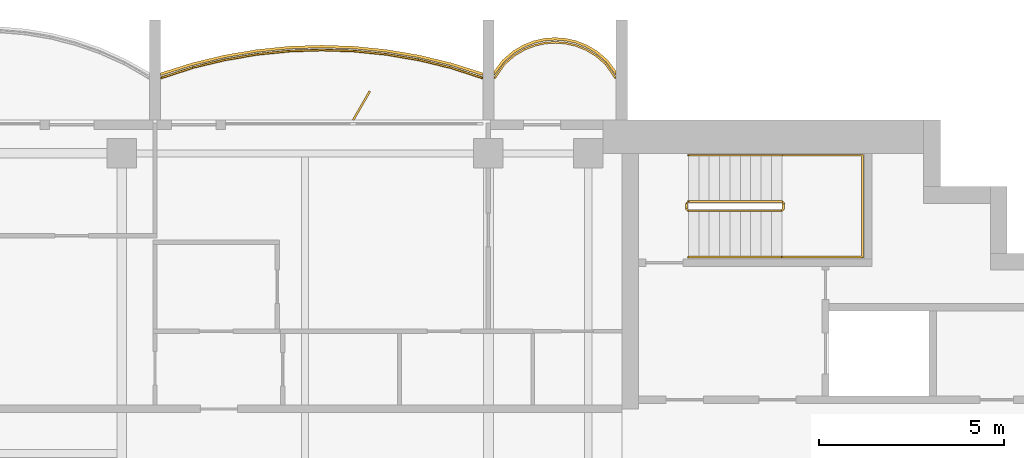
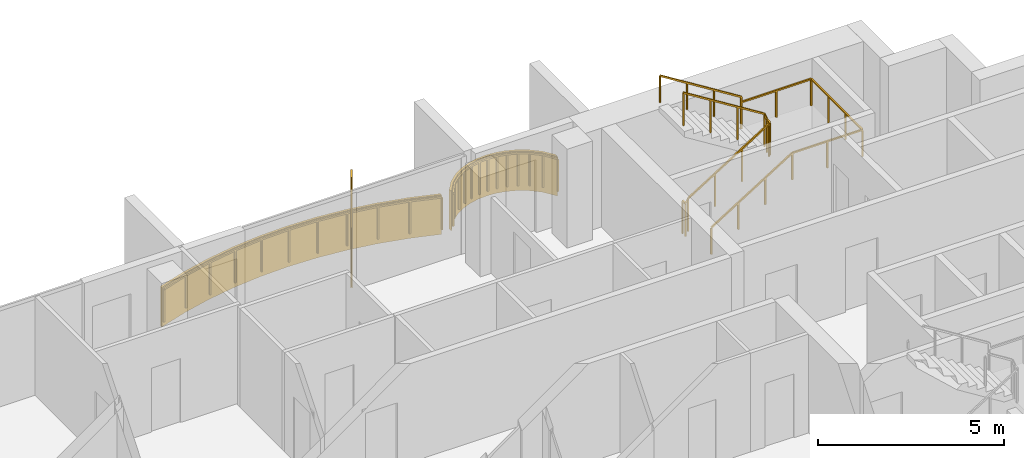
# One storey, part 16 of 16: 4 railings, 2 coverings, 1 shading device.
"""IFC4 building model written with IfcOpenShell, lengths in metres."""

from ifc_helpers import new_model, si_unit, direction, frame, origin, origin_2d, place, context, subcontext, project, spatial, polyline, rectangle, outline, extrude, material, layer, layer_set, type_object, element, save


model = new_model("IFC4")

# Units and contexts
model_context = context("Model", 3, precision=1e-05, world=origin(), true_north=direction((0.0, 1.0)))
body_context = subcontext(model_context, "Body", "Model", "MODEL_VIEW")
ifc_project = project(units=[si_unit("LENGTHUNIT", "METRE"), si_unit("AREAUNIT", "SQUARE_METRE"), si_unit("VOLUMEUNIT", "CUBIC_METRE"), si_unit("PLANEANGLEUNIT", "RADIAN"), si_unit("MASSUNIT", "GRAM", prefix="KILO")], contexts=[model_context])

# Site, building, storey
site_placement = place(None, origin())
site = spatial("IfcSite", under=ifc_project, at=site_placement, CompositionType="ELEMENT")
building_placement = place(site_placement, origin())
building = spatial("IfcBuilding", under=site, at=building_placement, Name="Perihelion Cross Residences", CompositionType="ELEMENT")
storey_placement = place(building_placement, frame((0.0, 0.0, 274.5)))
storey = spatial("IfcBuildingStorey", under=building, at=storey_placement, Name="L70", CompositionType="ELEMENT", Elevation=274.5)

# Coverings
ifc_material_1 = material(Name="Bronze anodised aluminium", Category="aluminium")
ifc_layer_1 = layer(ifc_material_1, 0.070068359375)
ifc_layer_set_1 = layer_set([ifc_layer_1], Name="Balcony fascia 1300")
covering_type = type_object("IfcCoveringType", Name="Balcony fascia 1300", PredefinedType="CLADDING", material=ifc_layer_set_1)
covering_1_placement = place(storey_placement, frame((0.0, 0.0, -0.199951171875)))
element("IfcCovering", 1, at=covering_1_placement, inside=storey, type_object=covering_type, Name="Fascia BF1 L70 east side north bay 1", PredefinedType="CLADDING", context=body_context, shape_type="SweptSolid", body=[
    extrude(outline(polyline([(21.226318359375, 10.616455078125), (20.94091796875, 10.86328125), (20.655517578125, 11.031494140625), (20.370361328125, 11.142578125), (20.085205078125, 11.206298828125), (19.800048828125, 11.22705078125), (19.514892578125, 11.206298828125), (19.229736328125, 11.142578125), (18.9443359375, 11.031494140625), (18.6591796875, 10.86328125), (18.373779296875, 10.616455078125), (18.14990234375, 10.31689453125), (18.14990234375, 10.199951171875), (18.425048828125, 10.568603515625), (18.699951171875, 10.806396484375), (18.97509765625, 10.96875), (19.25, 11.07568359375), (19.52490234375, 11.136962890625), (19.800048828125, 11.156982421875), (20.074951171875, 11.136962890625), (20.35009765625, 11.07568359375), (20.625, 10.96875), (20.89990234375, 10.806396484375), (21.175048828125, 10.568603515625), (21.449951171875, 10.199951171875), (21.449951171875, 10.31689453125), (21.226318359375, 10.616455078125)])), origin(), (0.0, 0.0, 1.0), 1.300048828125),
])
covering_2_placement = place(storey_placement, frame((0.0, 0.0, -0.199951171875)))
element("IfcCovering", 2, at=covering_2_placement, inside=storey, type_object=covering_type, Name="Fascia BF1 L70 east side north bay 2", PredefinedType="CLADDING", context=body_context, shape_type="SweptSolid", body=[
    extrude(outline(polyline([(16.998779296875, 10.542724609375), (16.1240234375, 10.753662109375), (15.249267578125, 10.90234375), (14.374755859375, 10.99072265625), (13.5, 11.02001953125), (12.625244140625, 10.99072265625), (11.750732421875, 10.90234375), (10.8759765625, 10.753662109375), (10.001220703125, 10.542724609375), (9.14990234375, 10.2734375), (9.14990234375, 10.199951171875), (10.02001953125, 10.47509765625), (10.889892578125, 10.68505859375), (11.760009765625, 10.8330078125), (12.6298828125, 10.9208984375), (13.5, 10.949951171875), (14.3701171875, 10.9208984375), (15.239990234375, 10.8330078125), (16.110107421875, 10.68505859375), (16.97998046875, 10.47509765625), (17.85009765625, 10.199951171875), (17.85009765625, 10.2734375), (16.998779296875, 10.542724609375)])), origin(), (0.0, 0.0, 1.0), 1.300048828125),
])

# Railings
ifc_material_2 = material(Name="Bronze anodised aluminium", Category="aluminium")
railing_type_1 = type_object("IfcRailingType", Name="Balcony guard 1100", PredefinedType="GUARDRAIL", material=ifc_material_2)
railing_1_placement = place(storey_placement, frame((21.425048828125, 10.139892578125, 0.0)))
element("IfcRailing", 3, at=railing_1_placement, inside=storey, type_object=railing_type_1, Name="Guard GU1 L70 east side north bay 1 balcony", PredefinedType="GUARDRAIL", context=body_context, shape_type="SweptSolid", body=[
    extrude(rectangle(XDim=0.048095703125, YDim=0.048095703125, at=origin_2d()), frame((0.0, 0.0, 1.076171875), z_axis=(-0.561260132269, 0.827639452857, 0.0), x_axis=(-0.827639452857, -0.561260132269, 0.0)), (0.0, 0.0, 1.0), 0.4453125),
    extrude(rectangle(XDim=0.048095703125, YDim=0.048095703125, at=origin_2d()), frame((-0.25, 0.36865234375, 1.076171875), z_axis=(-0.756596535164, 0.653882009982, 0.0), x_axis=(-0.653882009982, -0.756596535164, 0.0)), (0.0, 0.0, 1.0), 0.36376953125),
    extrude(rectangle(XDim=0.048095703125, YDim=0.048095703125, at=origin_2d()), frame((-0.525146484375, 0.6064453125, 1.076171875), z_axis=(-0.861048292884, 0.508523192511, 0.0), x_axis=(-0.508523192511, -0.861048292884, 0.0)), (0.0, 0.0, 1.0), 0.3193359375),
    extrude(rectangle(XDim=0.048095703125, YDim=0.048095703125, at=origin_2d()), frame((-0.800048828125, 0.768798828125, 1.076171875), z_axis=(-0.931973602183, 0.362526143656, 0.0), x_axis=(-0.362526143656, -0.931973602183, 0.0)), (0.0, 0.0, 1.0), 0.294921875),
    extrude(rectangle(XDim=0.048095703125, YDim=0.048095703125, at=origin_2d()), frame((-1.074951171875, 0.875732421875, 1.076171875), z_axis=(-0.976085059389, 0.21738895289, 0.0), x_axis=(-0.21738895289, -0.976085059389, 0.0)), (0.0, 0.0, 1.0), 0.281982421875),
    extrude(rectangle(XDim=0.048095703125, YDim=0.048095703125, at=origin_2d()), frame((-1.35009765625, 0.93701171875, 1.076171875), z_axis=(-0.997358821833, 0.072631814734, 0.0), x_axis=(-0.072631814734, -0.997358821833, 0.0)), (0.0, 0.0, 1.0), 0.275634765625),
    extrude(rectangle(XDim=0.048095703125, YDim=0.048095703125, at=origin_2d()), frame((-1.625, 0.95703125, 1.076171875), z_axis=(-0.997363488337, -0.072567707226, 0.0), x_axis=(0.072567707226, -0.997363488337, 0.0)), (0.0, 0.0, 1.0), 0.27587890625),
    extrude(rectangle(XDim=0.048095703125, YDim=0.048095703125, at=origin_2d()), frame((-1.900146484375, 0.93701171875, 1.076171875), z_axis=(-0.976044077717, -0.217572880557, 0.0), x_axis=(0.217572880557, -0.976044077717, 0.0)), (0.0, 0.0, 1.0), 0.28173828125),
    extrude(rectangle(XDim=0.048095703125, YDim=0.048095703125, at=origin_2d()), frame((-2.175048828125, 0.875732421875, 1.076171875), z_axis=(-0.931973602183, -0.362526143656, 0.0), x_axis=(0.362526143656, -0.931973602183, 0.0)), (0.0, 0.0, 1.0), 0.294921875),
    extrude(rectangle(XDim=0.048095703125, YDim=0.048095703125, at=origin_2d()), frame((-2.449951171875, 0.768798828125, 1.076171875), z_axis=(-0.861245845072, -0.508188542123, 0.0), x_axis=(0.508188542123, -0.861245845072, 0.0)), (0.0, 0.0, 1.0), 0.319580078125),
    extrude(rectangle(XDim=0.048095703125, YDim=0.048095703125, at=origin_2d()), frame((-2.72509765625, 0.6064453125, 1.076171875), z_axis=(-0.756309278473, -0.654214242658, 0.0), x_axis=(0.654214242658, -0.756309278473, 0.0)), (0.0, 0.0, 1.0), 0.363525390625),
    extrude(rectangle(XDim=0.048095703125, YDim=0.048095703125, at=origin_2d()), frame((-3.0, 0.36865234375, 1.076171875), z_axis=(-0.561260132269, -0.827639452857, 0.0), x_axis=(0.827639452857, -0.561260132269, 0.0)), (0.0, 0.0, 1.0), 0.4453125),
    extrude(rectangle(XDim=0.0419921875, YDim=0.0419921875, at=origin_2d()), origin(), (0.0, 0.0, 1.0), 1.052001953125),
    extrude(rectangle(XDim=0.0419921875, YDim=0.0419921875, at=origin_2d()), frame((-0.25, 0.36865234375, 0.0)), (0.0, 0.0, 1.0), 1.052001953125),
    extrude(rectangle(XDim=0.0419921875, YDim=0.0419921875, at=origin_2d()), frame((-0.525146484375, 0.6064453125, 0.0)), (0.0, 0.0, 1.0), 1.052001953125),
    extrude(rectangle(XDim=0.0419921875, YDim=0.0419921875, at=origin_2d()), frame((-0.800048828125, 0.768798828125, 0.0)), (0.0, 0.0, 1.0), 1.052001953125),
    extrude(rectangle(XDim=0.0419921875, YDim=0.0419921875, at=origin_2d()), frame((-1.074951171875, 0.875732421875, 0.0)), (0.0, 0.0, 1.0), 1.052001953125),
    extrude(rectangle(XDim=0.0419921875, YDim=0.0419921875, at=origin_2d()), frame((-1.35009765625, 0.93701171875, 0.0)), (0.0, 0.0, 1.0), 1.052001953125),
    extrude(rectangle(XDim=0.0419921875, YDim=0.0419921875, at=origin_2d()), frame((-1.625, 0.95703125, 0.0)), (0.0, 0.0, 1.0), 1.052001953125),
    extrude(rectangle(XDim=0.0419921875, YDim=0.0419921875, at=origin_2d()), frame((-1.900146484375, 0.93701171875, 0.0)), (0.0, 0.0, 1.0), 1.052001953125),
    extrude(rectangle(XDim=0.0419921875, YDim=0.0419921875, at=origin_2d()), frame((-2.175048828125, 0.875732421875, 0.0)), (0.0, 0.0, 1.0), 1.052001953125),
    extrude(rectangle(XDim=0.0419921875, YDim=0.0419921875, at=origin_2d()), frame((-2.449951171875, 0.768798828125, 0.0)), (0.0, 0.0, 1.0), 1.052001953125),
    extrude(rectangle(XDim=0.0419921875, YDim=0.0419921875, at=origin_2d()), frame((-2.72509765625, 0.6064453125, 0.0)), (0.0, 0.0, 1.0), 1.052001953125),
    extrude(rectangle(XDim=0.0419921875, YDim=0.0419921875, at=origin_2d()), frame((-3.0, 0.36865234375, 0.0)), (0.0, 0.0, 1.0), 1.052001953125),
    extrude(rectangle(XDim=0.0419921875, YDim=0.0419921875, at=origin_2d()), frame((-3.25, 0.0, 0.0)), (0.0, 0.0, 1.0), 1.052001953125),
])
railing_2_placement = place(storey_placement, frame((17.824951171875, 10.139892578125, 0.0)))
element("IfcRailing", 4, at=railing_2_placement, inside=storey, type_object=railing_type_1, Name="Guard GU1 L70 east side north bay 2 balcony", PredefinedType="GUARDRAIL", context=body_context, shape_type="SweptSolid", body=[
    extrude(rectangle(XDim=0.048095703125, YDim=0.048095703125, at=origin_2d()), frame((0.0, 0.0, 1.076171875), z_axis=(-0.950777354264, 0.30987484993, 0.0), x_axis=(-0.30987484993, -0.950777354264, 0.0)), (0.0, 0.0, 1.0), 0.888671875),
    extrude(rectangle(XDim=0.048095703125, YDim=0.048095703125, at=origin_2d()), frame((-0.844970703125, 0.275390625, 1.076171875), z_axis=(-0.972146551129, 0.234373810671, 0.0), x_axis=(-0.234373810671, -0.972146551129, 0.0)), (0.0, 0.0, 1.0), 0.894775390625),
    extrude(rectangle(XDim=0.048095703125, YDim=0.048095703125, at=origin_2d()), frame((-1.71484375, 0.485107421875, 1.076171875), z_axis=(-0.985850361727, 0.167627755108, 0.0), x_axis=(-0.167627755108, -0.985850361727, 0.0)), (0.0, 0.0, 1.0), 0.882568359375),
    extrude(rectangle(XDim=0.048095703125, YDim=0.048095703125, at=origin_2d()), frame((-2.5849609375, 0.633056640625, 1.076171875), z_axis=(-0.994934368303, 0.100526627165, 0.0), x_axis=(-0.100526627165, -0.994934368303, 0.0)), (0.0, 0.0, 1.0), 0.874267578125),
    extrude(rectangle(XDim=0.048095703125, YDim=0.048095703125, at=origin_2d()), frame((-3.454833984375, 0.720947265625, 1.076171875), z_axis=(-0.999443037968, 0.0333708534, 0.0), x_axis=(-0.0333708534, -0.999443037968, 0.0)), (0.0, 0.0, 1.0), 0.87060546875),
    extrude(rectangle(XDim=0.048095703125, YDim=0.048095703125, at=origin_2d()), frame((-4.324951171875, 0.75, 1.076171875), z_axis=(-0.999443037968, -0.0333708534, 0.0), x_axis=(0.0333708534, -0.999443037968, 0.0)), (0.0, 0.0, 1.0), 0.87060546875),
    extrude(rectangle(XDim=0.048095703125, YDim=0.048095703125, at=origin_2d()), frame((-5.195068359375, 0.720947265625, 1.076171875), z_axis=(-0.994934368303, -0.100526627165, 0.0), x_axis=(0.100526627165, -0.994934368303, 0.0)), (0.0, 0.0, 1.0), 0.874267578125),
    extrude(rectangle(XDim=0.048095703125, YDim=0.048095703125, at=origin_2d()), frame((-6.06494140625, 0.633056640625, 1.076171875), z_axis=(-0.985850361727, -0.167627755108, 0.0), x_axis=(0.167627755108, -0.985850361727, 0.0)), (0.0, 0.0, 1.0), 0.882568359375),
    extrude(rectangle(XDim=0.048095703125, YDim=0.048095703125, at=origin_2d()), frame((-6.93505859375, 0.485107421875, 1.076171875), z_axis=(-0.972146551129, -0.234373810671, 0.0), x_axis=(0.234373810671, -0.972146551129, 0.0)), (0.0, 0.0, 1.0), 0.894775390625),
    extrude(rectangle(XDim=0.048095703125, YDim=0.048095703125, at=origin_2d()), frame((-7.804931640625, 0.275390625, 1.076171875), z_axis=(-0.950777354264, -0.30987484993, 0.0), x_axis=(0.30987484993, -0.950777354264, 0.0)), (0.0, 0.0, 1.0), 0.888671875),
    extrude(rectangle(XDim=0.0419921875, YDim=0.0419921875, at=origin_2d()), origin(), (0.0, 0.0, 1.0), 1.052001953125),
    extrude(rectangle(XDim=0.0419921875, YDim=0.0419921875, at=origin_2d()), frame((-0.844970703125, 0.275390625, 0.0)), (0.0, 0.0, 1.0), 1.052001953125),
    extrude(rectangle(XDim=0.0419921875, YDim=0.0419921875, at=origin_2d()), frame((-1.71484375, 0.485107421875, 0.0)), (0.0, 0.0, 1.0), 1.052001953125),
    extrude(rectangle(XDim=0.0419921875, YDim=0.0419921875, at=origin_2d()), frame((-2.5849609375, 0.633056640625, 0.0)), (0.0, 0.0, 1.0), 1.052001953125),
    extrude(rectangle(XDim=0.0419921875, YDim=0.0419921875, at=origin_2d()), frame((-3.454833984375, 0.720947265625, 0.0)), (0.0, 0.0, 1.0), 1.052001953125),
    extrude(rectangle(XDim=0.0419921875, YDim=0.0419921875, at=origin_2d()), frame((-4.324951171875, 0.75, 0.0)), (0.0, 0.0, 1.0), 1.052001953125),
    extrude(rectangle(XDim=0.0419921875, YDim=0.0419921875, at=origin_2d()), frame((-5.195068359375, 0.720947265625, 0.0)), (0.0, 0.0, 1.0), 1.052001953125),
    extrude(rectangle(XDim=0.0419921875, YDim=0.0419921875, at=origin_2d()), frame((-6.06494140625, 0.633056640625, 0.0)), (0.0, 0.0, 1.0), 1.052001953125),
    extrude(rectangle(XDim=0.0419921875, YDim=0.0419921875, at=origin_2d()), frame((-6.93505859375, 0.485107421875, 0.0)), (0.0, 0.0, 1.0), 1.052001953125),
    extrude(rectangle(XDim=0.0419921875, YDim=0.0419921875, at=origin_2d()), frame((-7.804931640625, 0.275390625, 0.0)), (0.0, 0.0, 1.0), 1.052001953125),
    extrude(rectangle(XDim=0.0419921875, YDim=0.0419921875, at=origin_2d()), frame((-8.64990234375, 0.0, 0.0)), (0.0, 0.0, 1.0), 1.052001953125),
])

# Shading device
ifc_material_3 = material(Name="Bronze anodised aluminium", Category="aluminium")
ifc_layer_2 = layer(ifc_material_3, 0.050048828125)
ifc_layer_set_2 = layer_set([ifc_layer_2], Name="Bronze fin 900")
shading_device_type = type_object("IfcShadingDeviceType", Name="Bronze fin 900", PredefinedType="USERDEFINED", material=ifc_layer_set_2)
shading_device_placement = place(storey_placement, frame((14.574951171875, 9.3896484375, 0.0), z_axis=(0.0, 0.0, 1.0), x_axis=(0.5, 0.866025403784, 0.0)))
element("IfcShadingDevice", 5, at=shading_device_placement, inside=storey, type_object=shading_device_type, Name="Fin FN1 L70 east side north bay 2", ObjectType="FIN", PredefinedType="USERDEFINED", context=body_context, shape_type="SweptSolid", body=[
    extrude(rectangle(XDim=0.89990234375, YDim=0.050048828125, at=origin_2d()), origin(), (0.0, 0.0, 1.0), 3.25),
])

# Railings
ifc_material_4 = material(Name="Stainless steel", Category="steel")
railing_type_2 = type_object("IfcRailingType", Name="Stair guard 1100", PredefinedType="GUARDRAIL", material=ifc_material_4)
railing_3_placement = place(storey_placement, frame((23.35009765625, 6.75, 0.0)))
element("IfcRailing", 6, at=railing_3_placement, inside=storey, type_object=railing_type_2, Name="L70 ST-E1 stair guard 1", PredefinedType="GUARDRAIL", context=body_context, shape_type="SweptSolid", body=[
    extrude(rectangle(XDim=0.048095703125, YDim=0.048095703125, at=origin_2d()), frame((0.0, 0.0, 1.076171875), z_axis=(0.0, -1.0, 0.0), x_axis=(1.0, 0.0, 0.0)), (0.0, 0.0, 1.0), 0.14990234375),
    extrude(rectangle(XDim=0.048095703125, YDim=0.048095703125, at=origin_2d()), frame((0.0, -0.14990234375, 1.076171875), z_axis=(0.263862480399, -0.265155923931, 0.927399011991), x_axis=(0.708833529934, 0.705375805398, 0.0)), (0.0, 0.0, 1.0), 0.188720703125),
    extrude(rectangle(XDim=0.048095703125, YDim=0.048095703125, at=origin_2d()), frame((0.0498046875, -0.199951171875, 1.2509765625), z_axis=(0.848007534815, 0.0, 0.529984170421), x_axis=(0.0, 1.0, 0.0)), (0.0, 0.0, 1.0), 2.9716796875),
    extrude(rectangle(XDim=0.048095703125, YDim=0.048095703125, at=origin_2d()), frame((2.56982421875, -0.199951171875, 2.826171875), z_axis=(0.707106781187, 0.707106781187, 0.0), x_axis=(-0.707106781187, 0.707106781187, 0.0)), (0.0, 0.0, 1.0), 0.07080078125),
    extrude(rectangle(XDim=0.048095703125, YDim=0.048095703125, at=origin_2d()), frame((2.619873046875, -0.14990234375, 2.826171875), z_axis=(0.0, 1.0, 0.0), x_axis=(-1.0, 0.0, 0.0)), (0.0, 0.0, 1.0), 0.14990234375),
    extrude(rectangle(XDim=0.048095703125, YDim=0.048095703125, at=origin_2d()), frame((2.619873046875, 0.0, 2.826171875), z_axis=(-0.265065253269, 0.265065253269, 0.927081885822), x_axis=(-0.707106781187, -0.707106781187, 0.0)), (0.0, 0.0, 1.0), 0.188720703125),
    extrude(rectangle(XDim=0.048095703125, YDim=0.048095703125, at=origin_2d()), frame((2.56982421875, 0.050048828125, 3.0009765625), z_axis=(-0.848007534815, 0.0, 0.529984170421), x_axis=(0.0, -1.0, 0.0)), (0.0, 0.0, 1.0), 2.9716796875),
    extrude(rectangle(XDim=0.0419921875, YDim=0.0419921875, at=origin_2d()), origin(), (0.0, 0.0, 1.0), 1.052001953125),
    extrude(rectangle(XDim=0.0419921875, YDim=0.0419921875, at=origin_2d()), frame((0.0, -0.14990234375, 0.0)), (0.0, 0.0, 1.0), 1.052001953125),
    extrude(rectangle(XDim=0.0419921875, YDim=0.0419921875, at=origin_2d()), frame((0.0498046875, -0.199951171875, 0.175048828125)), (0.0, 0.0, 1.0), 1.052001953125),
    extrude(rectangle(XDim=0.0419921875, YDim=0.0419921875, at=origin_2d()), frame((0.889892578125, -0.199951171875, 0.699951171875)), (0.0, 0.0, 1.0), 1.052001953125),
    extrude(rectangle(XDim=0.0419921875, YDim=0.0419921875, at=origin_2d()), frame((1.729736328125, -0.199951171875, 1.22509765625)), (0.0, 0.0, 1.0), 1.052001953125),
    extrude(rectangle(XDim=0.0419921875, YDim=0.0419921875, at=origin_2d()), frame((2.56982421875, -0.199951171875, 1.75)), (0.0, 0.0, 1.0), 1.052001953125),
    extrude(rectangle(XDim=0.0419921875, YDim=0.0419921875, at=origin_2d()), frame((2.619873046875, -0.14990234375, 1.75)), (0.0, 0.0, 1.0), 1.052001953125),
    extrude(rectangle(XDim=0.0419921875, YDim=0.0419921875, at=origin_2d()), frame((2.619873046875, 0.0, 1.75)), (0.0, 0.0, 1.0), 1.052001953125),
    extrude(rectangle(XDim=0.0419921875, YDim=0.0419921875, at=origin_2d()), frame((2.56982421875, 0.050048828125, 1.925048828125)), (0.0, 0.0, 1.0), 1.052001953125),
    extrude(rectangle(XDim=0.0419921875, YDim=0.0419921875, at=origin_2d()), frame((1.729736328125, 0.050048828125, 2.449951171875)), (0.0, 0.0, 1.0), 1.052001953125),
    extrude(rectangle(XDim=0.0419921875, YDim=0.0419921875, at=origin_2d()), frame((0.889892578125, 0.050048828125, 2.97509765625)), (0.0, 0.0, 1.0), 1.052001953125),
    extrude(rectangle(XDim=0.0419921875, YDim=0.0419921875, at=origin_2d()), frame((0.0498046875, 0.050048828125, 3.5)), (0.0, 0.0, 1.0), 1.052001953125),
])
ifc_material_5 = material(Name="Stainless steel", Category="steel")
railing_type_3 = type_object("IfcRailingType", Name="Stair handrail 900", PredefinedType="HANDRAIL", material=ifc_material_5)
railing_4_placement = place(storey_placement, frame((23.39990234375, 5.300048828125, 0.175048828125)))
element("IfcRailing", 7, at=railing_4_placement, inside=storey, type_object=railing_type_3, Name="L70 ST-E1 stair handrail 1", PredefinedType="HANDRAIL", context=body_context, shape_type="SweptSolid", body=[
    extrude(rectangle(XDim=0.048095703125, YDim=0.048095703125, at=origin_2d()), frame((0.0, 0.0, 0.8759765625), z_axis=(0.848007534815, 0.0, 0.529984170421), x_axis=(0.0, 1.0, 0.0)), (0.0, 0.0, 1.0), 2.9716796875),
    extrude(rectangle(XDim=0.048095703125, YDim=0.048095703125, at=origin_2d()), frame((2.52001953125, 0.0, 2.45068359375), z_axis=(1.0, 0.0, 0.0), x_axis=(0.0, 1.0, 0.0)), (0.0, 0.0, 1.0), 2.18017578125),
    extrude(rectangle(XDim=0.048095703125, YDim=0.048095703125, at=origin_2d()), frame((4.7001953125, 0.0, 2.45068359375), z_axis=(0.0, 1.0, 0.0), x_axis=(-1.0, 0.0, 0.0)), (0.0, 0.0, 1.0), 2.75),
    extrude(rectangle(XDim=0.048095703125, YDim=0.048095703125, at=origin_2d()), frame((4.7001953125, 2.75, 2.45068359375), z_axis=(-1.0, 0.0, 0.0), x_axis=(0.0, -1.0, 0.0)), (0.0, 0.0, 1.0), 2.18017578125),
    extrude(rectangle(XDim=0.048095703125, YDim=0.048095703125, at=origin_2d()), frame((2.52001953125, 2.75, 2.45068359375), z_axis=(0.0, 0.0, 1.0), x_axis=(1.0, 0.0, 0.0)), (0.0, 0.0, 1.0), 0.175048828125),
    extrude(rectangle(XDim=0.048095703125, YDim=0.048095703125, at=origin_2d()), frame((2.52001953125, 2.75, 2.6259765625), z_axis=(-0.848007534815, 0.0, 0.529984170421), x_axis=(0.0, -1.0, 0.0)), (0.0, 0.0, 1.0), 2.9716796875),
    extrude(rectangle(XDim=0.0419921875, YDim=0.0419921875, at=origin_2d()), origin(), (0.0, 0.0, 1.0), 0.851806640625),
    extrude(rectangle(XDim=0.0419921875, YDim=0.0419921875, at=origin_2d()), frame((0.840087890625, 0.0, 0.52490234375)), (0.0, 0.0, 1.0), 0.851806640625),
    extrude(rectangle(XDim=0.0419921875, YDim=0.0419921875, at=origin_2d()), frame((1.679931640625, 0.0, 1.050048828125)), (0.0, 0.0, 1.0), 0.851806640625),
    extrude(rectangle(XDim=0.0419921875, YDim=0.0419921875, at=origin_2d()), frame((2.52001953125, 0.0, 1.574951171875)), (0.0, 0.0, 1.0), 0.851806640625),
    extrude(rectangle(XDim=0.0419921875, YDim=0.0419921875, at=origin_2d()), frame((3.610107421875, 0.0, 1.574951171875)), (0.0, 0.0, 1.0), 0.851806640625),
    extrude(rectangle(XDim=0.0419921875, YDim=0.0419921875, at=origin_2d()), frame((4.7001953125, 0.0, 1.574951171875)), (0.0, 0.0, 1.0), 0.851806640625),
    extrude(rectangle(XDim=0.0419921875, YDim=0.0419921875, at=origin_2d()), frame((4.7001953125, 0.916748046875, 1.574951171875)), (0.0, 0.0, 1.0), 0.851806640625),
    extrude(rectangle(XDim=0.0419921875, YDim=0.0419921875, at=origin_2d()), frame((4.7001953125, 1.833251953125, 1.574951171875)), (0.0, 0.0, 1.0), 0.851806640625),
    extrude(rectangle(XDim=0.0419921875, YDim=0.0419921875, at=origin_2d()), frame((4.7001953125, 2.75, 1.574951171875)), (0.0, 0.0, 1.0), 0.851806640625),
    extrude(rectangle(XDim=0.0419921875, YDim=0.0419921875, at=origin_2d()), frame((3.610107421875, 2.75, 1.574951171875)), (0.0, 0.0, 1.0), 0.851806640625),
    extrude(rectangle(XDim=0.0419921875, YDim=0.0419921875, at=origin_2d()), frame((2.52001953125, 2.75, 1.574951171875)), (0.0, 0.0, 1.0), 0.851806640625),
    extrude(rectangle(XDim=0.0419921875, YDim=0.0419921875, at=origin_2d()), frame((2.52001953125, 2.75, 1.75)), (0.0, 0.0, 1.0), 0.851806640625),
    extrude(rectangle(XDim=0.0419921875, YDim=0.0419921875, at=origin_2d()), frame((1.679931640625, 2.75, 2.27490234375)), (0.0, 0.0, 1.0), 0.851806640625),
    extrude(rectangle(XDim=0.0419921875, YDim=0.0419921875, at=origin_2d()), frame((0.840087890625, 2.75, 2.800048828125)), (0.0, 0.0, 1.0), 0.851806640625),
    extrude(rectangle(XDim=0.0419921875, YDim=0.0419921875, at=origin_2d()), frame((0.0, 2.75, 3.324951171875)), (0.0, 0.0, 1.0), 0.851806640625),
])

save(model, "model.ifc")
